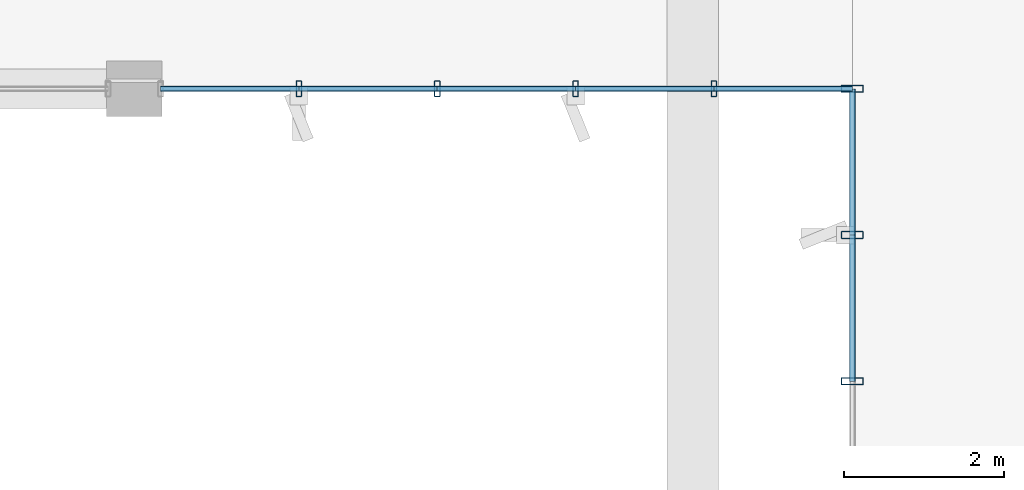
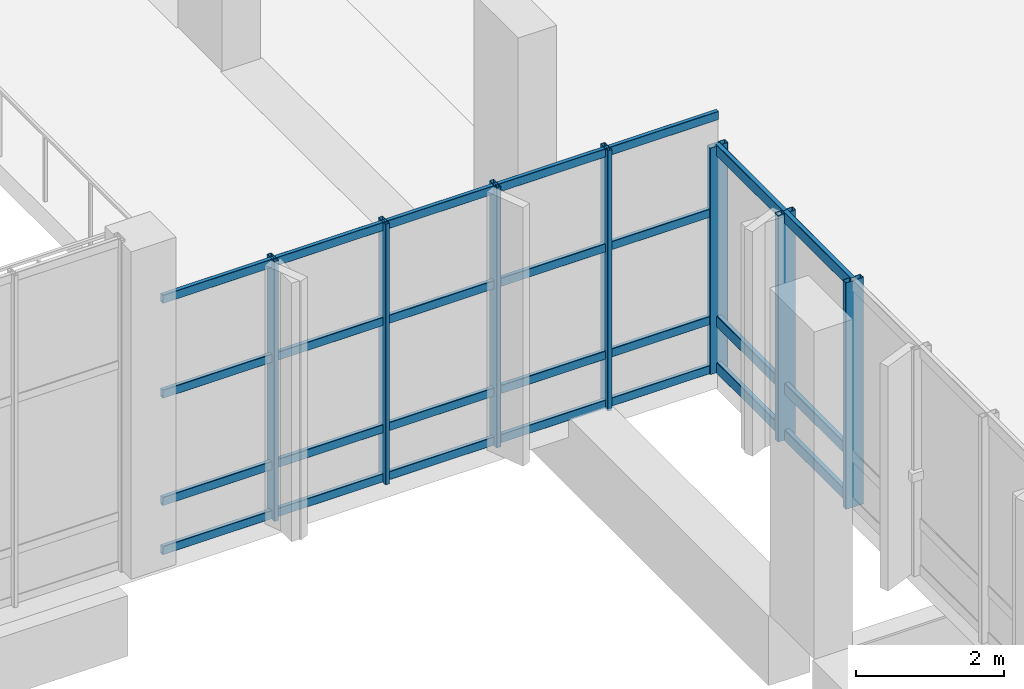
# One storey, part 30 of 176: 33 members, 2 elements without a shape of their own.
"""IFC4 building model written with IfcOpenShell, lengths in metres."""

from ifc_helpers import new_model, si_unit, direction, frame, origin, origin_2d, place, context, subcontext, project, spatial, hollow_rectangle, extrude, material, layer, layer_set, material_profile, profile_set, type_object, element, aggregate, save


model = new_model("IFC4")

# Units and contexts
model_context = context("Model", 3, precision=1e-05, world=origin(), true_north=direction((0.0, 1.0)))
body_context = subcontext(model_context, "Body", "Model", "MODEL_VIEW")
ifc_project = project(units=[si_unit("LENGTHUNIT", "METRE"), si_unit("AREAUNIT", "SQUARE_METRE"), si_unit("VOLUMEUNIT", "CUBIC_METRE"), si_unit("PLANEANGLEUNIT", "RADIAN"), si_unit("MASSUNIT", "GRAM", prefix="KILO")], contexts=[model_context])

# Site, building, storey
site_placement = place(None, origin())
site = spatial("IfcSite", under=ifc_project, at=site_placement, CompositionType="ELEMENT")
building_placement = place(site_placement, origin())
building = spatial("IfcBuilding", under=site, at=building_placement, Name="Khorjan Park Terminus", CompositionType="ELEMENT")
storey_placement = place(building_placement, frame((0.0, 0.0, 6.0)))
storey = spatial("IfcBuildingStorey", under=building, at=storey_placement, Name="L01", CompositionType="ELEMENT", Elevation=6.0)

# Curtain wall, members
ifc_material = material(Name="Anodized Bronze Aluminium", Category="aluminium")
ifc_layer_1 = layer(ifc_material, 0.22)
ifc_layer_set_1 = layer_set([ifc_layer_1], Name="Anodized Bronze Aluminium")
curtain_wall_type_1 = type_object("IfcCurtainWallType", Name="CW-PAV-C", PredefinedType="NOTDEFINED", material=ifc_layer_set_1)
curtain_wall_1_placement = place(storey_placement, origin())
curtain_wall_1 = element("IfcCurtainWall", 1, at=curtain_wall_1_placement, inside=storey, type_object=curtain_wall_type_1, Name="Unitized curtain wall CW-C (CW-V4L-S-L01-3)", PredefinedType="NOTDEFINED")
ifc_material_profile_1 = material_profile(ifc_material, hollow_rectangle(XDim=0.07, YDim=0.2, WallThickness=0.005, InnerFilletRadius=0.005, OuterFilletRadius=0.01, at=origin_2d()), Name="ALM 70x200x5")
ifc_profile_set_1 = profile_set([ifc_material_profile_1], Name="Anodized Bronze Aluminium")
member_type_1 = type_object("IfcMemberType", Name="ML-ALM-200", PredefinedType="MULLION", material=ifc_profile_set_1)
member_1_placement = place(storey_placement, frame((43.064, 50.0, -0.035), z_axis=(0.0, 0.0, 1.0), x_axis=(1.0, 0.0, 0.0)))
member_1 = element("IfcMember", 2, at=member_1_placement, type_object=member_type_1, Name="Curtain-wall mullion ML-20 (CW-V4L-S-L01-3-1)", PredefinedType="MULLION", context=body_context, shape_type="SweptSolid", body=[
    extrude(hollow_rectangle(XDim=0.07, YDim=0.2, WallThickness=0.005, InnerFilletRadius=0.005, OuterFilletRadius=0.01, at=origin_2d()), origin(), (0.0, 0.0, 1.0), 4.295),
])
member_2_placement = place(storey_placement, frame((44.798, 50.0, -0.035), z_axis=(0.0, 0.0, 1.0), x_axis=(1.0, 0.0, 0.0)))
member_2 = element("IfcMember", 3, at=member_2_placement, type_object=member_type_1, Name="Curtain-wall mullion ML-20 (CW-V4L-S-L01-3-2)", PredefinedType="MULLION", context=body_context, shape_type="SweptSolid", body=[
    extrude(hollow_rectangle(XDim=0.07, YDim=0.2, WallThickness=0.005, InnerFilletRadius=0.005, OuterFilletRadius=0.01, at=origin_2d()), origin(), (0.0, 0.0, 1.0), 4.295),
])
member_3_placement = place(storey_placement, frame((46.532, 50.0, -0.035), z_axis=(0.0, 0.0, 1.0), x_axis=(1.0, 0.0, 0.0)))
member_3 = element("IfcMember", 4, at=member_3_placement, type_object=member_type_1, Name="Curtain-wall mullion ML-20 (CW-V4L-S-L01-3-3)", PredefinedType="MULLION", context=body_context, shape_type="SweptSolid", body=[
    extrude(hollow_rectangle(XDim=0.07, YDim=0.2, WallThickness=0.005, InnerFilletRadius=0.005, OuterFilletRadius=0.01, at=origin_2d()), origin(), (0.0, 0.0, 1.0), 4.295),
])
member_4_placement = place(storey_placement, frame((48.266, 50.0, -0.035), z_axis=(0.0, 0.0, 1.0), x_axis=(1.0, 0.0, 0.0)))
member_4 = element("IfcMember", 5, at=member_4_placement, type_object=member_type_1, Name="Curtain-wall mullion ML-20 (CW-V4L-S-L01-3-4)", PredefinedType="MULLION", context=body_context, shape_type="SweptSolid", body=[
    extrude(hollow_rectangle(XDim=0.07, YDim=0.2, WallThickness=0.005, InnerFilletRadius=0.005, OuterFilletRadius=0.01, at=origin_2d()), origin(), (0.0, 0.0, 1.0), 4.295),
])

ifc_layer_2 = layer(ifc_material, 0.22)
ifc_layer_set_2 = layer_set([ifc_layer_2], Name="Anodized Bronze Aluminium")
curtain_wall_type_2 = type_object("IfcCurtainWallType", Name="CW-CONC-A", PredefinedType="NOTDEFINED", material=ifc_layer_set_2)
curtain_wall_2_placement = place(storey_placement, origin())
curtain_wall_2 = element("IfcCurtainWall", 6, at=curtain_wall_2_placement, inside=storey, type_object=curtain_wall_type_2, Name="Unitized curtain wall CW-A (CW-V2-W-L01-02)", PredefinedType="NOTDEFINED")
ifc_material_profile_2 = material_profile(ifc_material, hollow_rectangle(XDim=0.09, YDim=0.28, WallThickness=0.006, InnerFilletRadius=0.006, OuterFilletRadius=0.012, at=origin_2d()), Name="ALM 90x280x6")
ifc_profile_set_2 = profile_set([ifc_material_profile_2], Name="Anodized Bronze Aluminium")
member_type_2 = type_object("IfcMemberType", Name="ML-ALM-280", PredefinedType="MULLION", material=ifc_profile_set_2)
member_5_placement = place(storey_placement, frame((50.0, 50.0, -0.035), z_axis=(0.0, 0.0, 1.0), x_axis=(0.0, -1.0, 0.0)))
member_5 = element("IfcMember", 7, at=member_5_placement, type_object=member_type_2, Name="Curtain-wall mullion ML-28 (CW-V2-W-L01-02-0)", PredefinedType="MULLION", context=body_context, shape_type="SweptSolid", body=[
    extrude(hollow_rectangle(XDim=0.09, YDim=0.28, WallThickness=0.006, InnerFilletRadius=0.006, OuterFilletRadius=0.012, at=origin_2d()), origin(), (0.0, 0.0, 1.0), 3.735),
])
member_6_placement = place(storey_placement, frame((50.0, 48.1667, -0.035), z_axis=(0.0, 0.0, 1.0), x_axis=(0.0, -1.0, 0.0)))
member_6 = element("IfcMember", 8, at=member_6_placement, type_object=member_type_2, Name="Curtain-wall mullion ML-28 (CW-V2-W-L01-02-1)", PredefinedType="MULLION", context=body_context, shape_type="SweptSolid", body=[
    extrude(hollow_rectangle(XDim=0.09, YDim=0.28, WallThickness=0.006, InnerFilletRadius=0.006, OuterFilletRadius=0.012, at=origin_2d()), origin(), (0.0, 0.0, 1.0), 3.735),
])
member_7_placement = place(storey_placement, frame((50.0, 46.3333, -0.035), z_axis=(0.0, 0.0, 1.0), x_axis=(0.0, -1.0, 0.0)))
member_7 = element("IfcMember", 9, at=member_7_placement, type_object=member_type_2, Name="Curtain-wall mullion ML-28 (CW-V2-W-L01-02-2)", PredefinedType="MULLION", context=body_context, shape_type="SweptSolid", body=[
    extrude(hollow_rectangle(XDim=0.09, YDim=0.28, WallThickness=0.006, InnerFilletRadius=0.006, OuterFilletRadius=0.012, at=origin_2d()), origin(), (0.0, 0.0, 1.0), 3.735),
])

# Member
ifc_material_profile_3 = material_profile(ifc_material, hollow_rectangle(XDim=0.065, YDim=0.14, WallThickness=0.004, InnerFilletRadius=0.004, OuterFilletRadius=0.008, at=origin_2d()), Name="ALT 65x140x4")
ifc_profile_set_3 = profile_set([ifc_material_profile_3], Name="Anodized Bronze Aluminium")
member_type_3 = type_object("IfcMemberType", Name="TR-ALT-140", PredefinedType="USERDEFINED", material=ifc_profile_set_3)
member_8_placement = place(storey_placement, frame((41.33, 50.0, 0.04), z_axis=(1.0, 0.0, 0.0), x_axis=(0.0, 1.0, 0.0)))
member_8 = element("IfcMember", 10, at=member_8_placement, type_object=member_type_3, Name="Curtain-wall transom TR-14 (CW-V4L-S-L01-3-0-1)", ObjectType="TRANSOM", PredefinedType="USERDEFINED", context=body_context, shape_type="SweptSolid", body=[
    extrude(hollow_rectangle(XDim=0.065, YDim=0.14, WallThickness=0.004, InnerFilletRadius=0.004, OuterFilletRadius=0.008, at=origin_2d()), origin(), (0.0, 0.0, 1.0), 1.734),
])

member_9_placement = place(storey_placement, frame((41.33, 50.0, 0.85), z_axis=(1.0, 0.0, 0.0), x_axis=(0.0, 1.0, 0.0)))
member_9 = element("IfcMember", 11, at=member_9_placement, type_object=member_type_3, Name="Curtain-wall transom TR-14 (CW-V4L-S-L01-3-0-2)", ObjectType="TRANSOM", PredefinedType="USERDEFINED", context=body_context, shape_type="SweptSolid", body=[
    extrude(hollow_rectangle(XDim=0.065, YDim=0.14, WallThickness=0.004, InnerFilletRadius=0.004, OuterFilletRadius=0.008, at=origin_2d()), origin(), (0.0, 0.0, 1.0), 1.734),
])

member_10_placement = place(storey_placement, frame((41.33, 50.0, 2.6195), z_axis=(1.0, 0.0, 0.0), x_axis=(0.0, 1.0, 0.0)))
member_10 = element("IfcMember", 12, at=member_10_placement, type_object=member_type_3, Name="Curtain-wall transom TR-14 (CW-V4L-S-L01-3-0-3)", ObjectType="TRANSOM", PredefinedType="USERDEFINED", context=body_context, shape_type="SweptSolid", body=[
    extrude(hollow_rectangle(XDim=0.065, YDim=0.14, WallThickness=0.004, InnerFilletRadius=0.004, OuterFilletRadius=0.008, at=origin_2d()), origin(), (0.0, 0.0, 1.0), 1.734),
])

member_11_placement = place(storey_placement, frame((41.33, 50.0, 4.185), z_axis=(1.0, 0.0, 0.0), x_axis=(0.0, 1.0, 0.0)))
member_11 = element("IfcMember", 13, at=member_11_placement, type_object=member_type_3, Name="Curtain-wall transom TR-14 (CW-V4L-S-L01-3-0-4)", ObjectType="TRANSOM", PredefinedType="USERDEFINED", context=body_context, shape_type="SweptSolid", body=[
    extrude(hollow_rectangle(XDim=0.065, YDim=0.14, WallThickness=0.004, InnerFilletRadius=0.004, OuterFilletRadius=0.008, at=origin_2d()), origin(), (0.0, 0.0, 1.0), 1.734),
])

member_12_placement = place(storey_placement, frame((43.064, 50.0, 0.04), z_axis=(1.0, 0.0, 0.0), x_axis=(0.0, 1.0, 0.0)))
member_12 = element("IfcMember", 14, at=member_12_placement, type_object=member_type_3, Name="Curtain-wall transom TR-14 (CW-V4L-S-L01-3-1-1)", ObjectType="TRANSOM", PredefinedType="USERDEFINED", context=body_context, shape_type="SweptSolid", body=[
    extrude(hollow_rectangle(XDim=0.065, YDim=0.14, WallThickness=0.004, InnerFilletRadius=0.004, OuterFilletRadius=0.008, at=origin_2d()), origin(), (0.0, 0.0, 1.0), 1.734),
])

member_13_placement = place(storey_placement, frame((43.064, 50.0, 0.85), z_axis=(1.0, 0.0, 0.0), x_axis=(0.0, 1.0, 0.0)))
member_13 = element("IfcMember", 15, at=member_13_placement, type_object=member_type_3, Name="Curtain-wall transom TR-14 (CW-V4L-S-L01-3-1-2)", ObjectType="TRANSOM", PredefinedType="USERDEFINED", context=body_context, shape_type="SweptSolid", body=[
    extrude(hollow_rectangle(XDim=0.065, YDim=0.14, WallThickness=0.004, InnerFilletRadius=0.004, OuterFilletRadius=0.008, at=origin_2d()), origin(), (0.0, 0.0, 1.0), 1.734),
])

member_14_placement = place(storey_placement, frame((43.064, 50.0, 2.6195), z_axis=(1.0, 0.0, 0.0), x_axis=(0.0, 1.0, 0.0)))
member_14 = element("IfcMember", 16, at=member_14_placement, type_object=member_type_3, Name="Curtain-wall transom TR-14 (CW-V4L-S-L01-3-1-3)", ObjectType="TRANSOM", PredefinedType="USERDEFINED", context=body_context, shape_type="SweptSolid", body=[
    extrude(hollow_rectangle(XDim=0.065, YDim=0.14, WallThickness=0.004, InnerFilletRadius=0.004, OuterFilletRadius=0.008, at=origin_2d()), origin(), (0.0, 0.0, 1.0), 1.734),
])

member_15_placement = place(storey_placement, frame((43.064, 50.0, 4.185), z_axis=(1.0, 0.0, 0.0), x_axis=(0.0, 1.0, 0.0)))
member_15 = element("IfcMember", 17, at=member_15_placement, type_object=member_type_3, Name="Curtain-wall transom TR-14 (CW-V4L-S-L01-3-1-4)", ObjectType="TRANSOM", PredefinedType="USERDEFINED", context=body_context, shape_type="SweptSolid", body=[
    extrude(hollow_rectangle(XDim=0.065, YDim=0.14, WallThickness=0.004, InnerFilletRadius=0.004, OuterFilletRadius=0.008, at=origin_2d()), origin(), (0.0, 0.0, 1.0), 1.734),
])

member_16_placement = place(storey_placement, frame((44.798, 50.0, 0.04), z_axis=(1.0, 0.0, 0.0), x_axis=(0.0, 1.0, 0.0)))
member_16 = element("IfcMember", 18, at=member_16_placement, type_object=member_type_3, Name="Curtain-wall transom TR-14 (CW-V4L-S-L01-3-2-1)", ObjectType="TRANSOM", PredefinedType="USERDEFINED", context=body_context, shape_type="SweptSolid", body=[
    extrude(hollow_rectangle(XDim=0.065, YDim=0.14, WallThickness=0.004, InnerFilletRadius=0.004, OuterFilletRadius=0.008, at=origin_2d()), origin(), (0.0, 0.0, 1.0), 1.734),
])

member_17_placement = place(storey_placement, frame((44.798, 50.0, 0.85), z_axis=(1.0, 0.0, 0.0), x_axis=(0.0, 1.0, 0.0)))
member_17 = element("IfcMember", 19, at=member_17_placement, type_object=member_type_3, Name="Curtain-wall transom TR-14 (CW-V4L-S-L01-3-2-2)", ObjectType="TRANSOM", PredefinedType="USERDEFINED", context=body_context, shape_type="SweptSolid", body=[
    extrude(hollow_rectangle(XDim=0.065, YDim=0.14, WallThickness=0.004, InnerFilletRadius=0.004, OuterFilletRadius=0.008, at=origin_2d()), origin(), (0.0, 0.0, 1.0), 1.734),
])

member_18_placement = place(storey_placement, frame((44.798, 50.0, 2.6195), z_axis=(1.0, 0.0, 0.0), x_axis=(0.0, 1.0, 0.0)))
member_18 = element("IfcMember", 20, at=member_18_placement, type_object=member_type_3, Name="Curtain-wall transom TR-14 (CW-V4L-S-L01-3-2-3)", ObjectType="TRANSOM", PredefinedType="USERDEFINED", context=body_context, shape_type="SweptSolid", body=[
    extrude(hollow_rectangle(XDim=0.065, YDim=0.14, WallThickness=0.004, InnerFilletRadius=0.004, OuterFilletRadius=0.008, at=origin_2d()), origin(), (0.0, 0.0, 1.0), 1.734),
])

member_19_placement = place(storey_placement, frame((44.798, 50.0, 4.185), z_axis=(1.0, 0.0, 0.0), x_axis=(0.0, 1.0, 0.0)))
member_19 = element("IfcMember", 21, at=member_19_placement, type_object=member_type_3, Name="Curtain-wall transom TR-14 (CW-V4L-S-L01-3-2-4)", ObjectType="TRANSOM", PredefinedType="USERDEFINED", context=body_context, shape_type="SweptSolid", body=[
    extrude(hollow_rectangle(XDim=0.065, YDim=0.14, WallThickness=0.004, InnerFilletRadius=0.004, OuterFilletRadius=0.008, at=origin_2d()), origin(), (0.0, 0.0, 1.0), 1.734),
])

member_20_placement = place(storey_placement, frame((46.532, 50.0, 0.04), z_axis=(1.0, 0.0, 0.0), x_axis=(0.0, 1.0, 0.0)))
member_20 = element("IfcMember", 22, at=member_20_placement, type_object=member_type_3, Name="Curtain-wall transom TR-14 (CW-V4L-S-L01-3-3-1)", ObjectType="TRANSOM", PredefinedType="USERDEFINED", context=body_context, shape_type="SweptSolid", body=[
    extrude(hollow_rectangle(XDim=0.065, YDim=0.14, WallThickness=0.004, InnerFilletRadius=0.004, OuterFilletRadius=0.008, at=origin_2d()), origin(), (0.0, 0.0, 1.0), 1.734),
])

member_21_placement = place(storey_placement, frame((46.532, 50.0, 0.85), z_axis=(1.0, 0.0, 0.0), x_axis=(0.0, 1.0, 0.0)))
member_21 = element("IfcMember", 23, at=member_21_placement, type_object=member_type_3, Name="Curtain-wall transom TR-14 (CW-V4L-S-L01-3-3-2)", ObjectType="TRANSOM", PredefinedType="USERDEFINED", context=body_context, shape_type="SweptSolid", body=[
    extrude(hollow_rectangle(XDim=0.065, YDim=0.14, WallThickness=0.004, InnerFilletRadius=0.004, OuterFilletRadius=0.008, at=origin_2d()), origin(), (0.0, 0.0, 1.0), 1.734),
])

member_22_placement = place(storey_placement, frame((46.532, 50.0, 2.6195), z_axis=(1.0, 0.0, 0.0), x_axis=(0.0, 1.0, 0.0)))
member_22 = element("IfcMember", 24, at=member_22_placement, type_object=member_type_3, Name="Curtain-wall transom TR-14 (CW-V4L-S-L01-3-3-3)", ObjectType="TRANSOM", PredefinedType="USERDEFINED", context=body_context, shape_type="SweptSolid", body=[
    extrude(hollow_rectangle(XDim=0.065, YDim=0.14, WallThickness=0.004, InnerFilletRadius=0.004, OuterFilletRadius=0.008, at=origin_2d()), origin(), (0.0, 0.0, 1.0), 1.734),
])

member_23_placement = place(storey_placement, frame((46.532, 50.0, 4.185), z_axis=(1.0, 0.0, 0.0), x_axis=(0.0, 1.0, 0.0)))
member_23 = element("IfcMember", 25, at=member_23_placement, type_object=member_type_3, Name="Curtain-wall transom TR-14 (CW-V4L-S-L01-3-3-4)", ObjectType="TRANSOM", PredefinedType="USERDEFINED", context=body_context, shape_type="SweptSolid", body=[
    extrude(hollow_rectangle(XDim=0.065, YDim=0.14, WallThickness=0.004, InnerFilletRadius=0.004, OuterFilletRadius=0.008, at=origin_2d()), origin(), (0.0, 0.0, 1.0), 1.734),
])

member_24_placement = place(storey_placement, frame((48.266, 50.0, 0.04), z_axis=(1.0, 0.0, 0.0), x_axis=(0.0, 1.0, 0.0)))
member_24 = element("IfcMember", 26, at=member_24_placement, type_object=member_type_3, Name="Curtain-wall transom TR-14 (CW-V4L-S-L01-3-4-1)", ObjectType="TRANSOM", PredefinedType="USERDEFINED", context=body_context, shape_type="SweptSolid", body=[
    extrude(hollow_rectangle(XDim=0.065, YDim=0.14, WallThickness=0.004, InnerFilletRadius=0.004, OuterFilletRadius=0.008, at=origin_2d()), origin(), (0.0, 0.0, 1.0), 1.734),
])

member_25_placement = place(storey_placement, frame((48.266, 50.0, 0.85), z_axis=(1.0, 0.0, 0.0), x_axis=(0.0, 1.0, 0.0)))
member_25 = element("IfcMember", 27, at=member_25_placement, type_object=member_type_3, Name="Curtain-wall transom TR-14 (CW-V4L-S-L01-3-4-2)", ObjectType="TRANSOM", PredefinedType="USERDEFINED", context=body_context, shape_type="SweptSolid", body=[
    extrude(hollow_rectangle(XDim=0.065, YDim=0.14, WallThickness=0.004, InnerFilletRadius=0.004, OuterFilletRadius=0.008, at=origin_2d()), origin(), (0.0, 0.0, 1.0), 1.734),
])

member_26_placement = place(storey_placement, frame((48.266, 50.0, 2.6195), z_axis=(1.0, 0.0, 0.0), x_axis=(0.0, 1.0, 0.0)))
member_26 = element("IfcMember", 28, at=member_26_placement, type_object=member_type_3, Name="Curtain-wall transom TR-14 (CW-V4L-S-L01-3-4-3)", ObjectType="TRANSOM", PredefinedType="USERDEFINED", context=body_context, shape_type="SweptSolid", body=[
    extrude(hollow_rectangle(XDim=0.065, YDim=0.14, WallThickness=0.004, InnerFilletRadius=0.004, OuterFilletRadius=0.008, at=origin_2d()), origin(), (0.0, 0.0, 1.0), 1.734),
])

member_27_placement = place(storey_placement, frame((48.266, 50.0, 4.185), z_axis=(1.0, 0.0, 0.0), x_axis=(0.0, 1.0, 0.0)))
member_27 = element("IfcMember", 29, at=member_27_placement, type_object=member_type_3, Name="Curtain-wall transom TR-14 (CW-V4L-S-L01-3-4-4)", ObjectType="TRANSOM", PredefinedType="USERDEFINED", context=body_context, shape_type="SweptSolid", body=[
    extrude(hollow_rectangle(XDim=0.065, YDim=0.14, WallThickness=0.004, InnerFilletRadius=0.004, OuterFilletRadius=0.008, at=origin_2d()), origin(), (0.0, 0.0, 1.0), 1.734),
])

aggregate(curtain_wall_1, [member_1, member_2, member_3, member_4, member_8, member_9, member_10, member_11, member_12, member_13, member_14, member_15, member_16, member_17, member_18, member_19, member_20, member_21, member_22, member_23, member_24, member_25, member_26, member_27])

ifc_material_profile_4 = material_profile(ifc_material, hollow_rectangle(XDim=0.075, YDim=0.185, WallThickness=0.005, InnerFilletRadius=0.005, OuterFilletRadius=0.01, at=origin_2d()), Name="ALT 75x185x5")
ifc_profile_set_4 = profile_set([ifc_material_profile_4], Name="Anodized Bronze Aluminium")
member_type_4 = type_object("IfcMemberType", Name="TR-ALT-185", PredefinedType="USERDEFINED", material=ifc_profile_set_4)
member_28_placement = place(storey_placement, frame((50.0, 50.0, 0.04), z_axis=(0.0, -1.0, 0.0), x_axis=(1.0, 0.0, 0.0)))
member_28 = element("IfcMember", 30, at=member_28_placement, type_object=member_type_4, Name="Curtain-wall transom TR-18 (CW-V2-W-L01-02-0-1)", ObjectType="TRANSOM", PredefinedType="USERDEFINED", context=body_context, shape_type="SweptSolid", body=[
    extrude(hollow_rectangle(XDim=0.075, YDim=0.185, WallThickness=0.005, InnerFilletRadius=0.005, OuterFilletRadius=0.01, at=origin_2d()), origin(), (0.0, 0.0, 1.0), 1.8333),
])

member_29_placement = place(storey_placement, frame((50.0, 50.0, 0.806), z_axis=(0.0, -1.0, 0.0), x_axis=(1.0, 0.0, 0.0)))
member_29 = element("IfcMember", 31, at=member_29_placement, type_object=member_type_4, Name="Curtain-wall transom TR-18 (CW-V2-W-L01-02-0-2)", ObjectType="TRANSOM", PredefinedType="USERDEFINED", context=body_context, shape_type="SweptSolid", body=[
    extrude(hollow_rectangle(XDim=0.075, YDim=0.185, WallThickness=0.005, InnerFilletRadius=0.005, OuterFilletRadius=0.01, at=origin_2d()), origin(), (0.0, 0.0, 1.0), 1.8333),
])

member_30_placement = place(storey_placement, frame((50.0, 50.0, 3.625), z_axis=(0.0, -1.0, 0.0), x_axis=(1.0, 0.0, 0.0)))
member_30 = element("IfcMember", 32, at=member_30_placement, type_object=member_type_4, Name="Curtain-wall transom TR-18 (CW-V2-W-L01-02-0-3)", ObjectType="TRANSOM", PredefinedType="USERDEFINED", context=body_context, shape_type="SweptSolid", body=[
    extrude(hollow_rectangle(XDim=0.075, YDim=0.185, WallThickness=0.005, InnerFilletRadius=0.005, OuterFilletRadius=0.01, at=origin_2d()), origin(), (0.0, 0.0, 1.0), 1.8333),
])

member_31_placement = place(storey_placement, frame((50.0, 48.1667, 0.04), z_axis=(0.0, -1.0, 0.0), x_axis=(1.0, 0.0, 0.0)))
member_31 = element("IfcMember", 33, at=member_31_placement, type_object=member_type_4, Name="Curtain-wall transom TR-18 (CW-V2-W-L01-02-1-1)", ObjectType="TRANSOM", PredefinedType="USERDEFINED", context=body_context, shape_type="SweptSolid", body=[
    extrude(hollow_rectangle(XDim=0.075, YDim=0.185, WallThickness=0.005, InnerFilletRadius=0.005, OuterFilletRadius=0.01, at=origin_2d()), origin(), (0.0, 0.0, 1.0), 1.8334),
])

member_32_placement = place(storey_placement, frame((50.0, 48.1667, 0.806), z_axis=(0.0, -1.0, 0.0), x_axis=(1.0, 0.0, 0.0)))
member_32 = element("IfcMember", 34, at=member_32_placement, type_object=member_type_4, Name="Curtain-wall transom TR-18 (CW-V2-W-L01-02-1-2)", ObjectType="TRANSOM", PredefinedType="USERDEFINED", context=body_context, shape_type="SweptSolid", body=[
    extrude(hollow_rectangle(XDim=0.075, YDim=0.185, WallThickness=0.005, InnerFilletRadius=0.005, OuterFilletRadius=0.01, at=origin_2d()), origin(), (0.0, 0.0, 1.0), 1.8334),
])

member_33_placement = place(storey_placement, frame((50.0, 48.1667, 3.625), z_axis=(0.0, -1.0, 0.0), x_axis=(1.0, 0.0, 0.0)))
member_33 = element("IfcMember", 35, at=member_33_placement, type_object=member_type_4, Name="Curtain-wall transom TR-18 (CW-V2-W-L01-02-1-3)", ObjectType="TRANSOM", PredefinedType="USERDEFINED", context=body_context, shape_type="SweptSolid", body=[
    extrude(hollow_rectangle(XDim=0.075, YDim=0.185, WallThickness=0.005, InnerFilletRadius=0.005, OuterFilletRadius=0.01, at=origin_2d()), origin(), (0.0, 0.0, 1.0), 1.8334),
])

aggregate(curtain_wall_2, [member_5, member_6, member_7, member_28, member_29, member_30, member_31, member_32, member_33])

save(model, "model.ifc")
